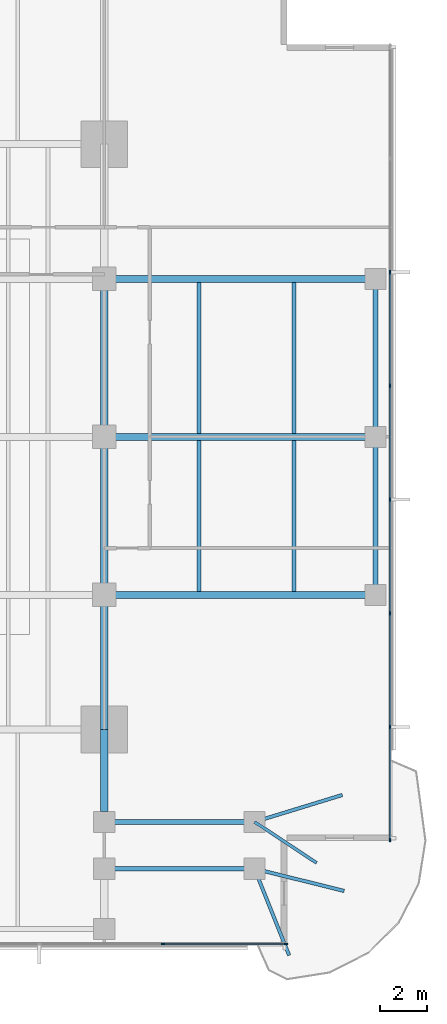
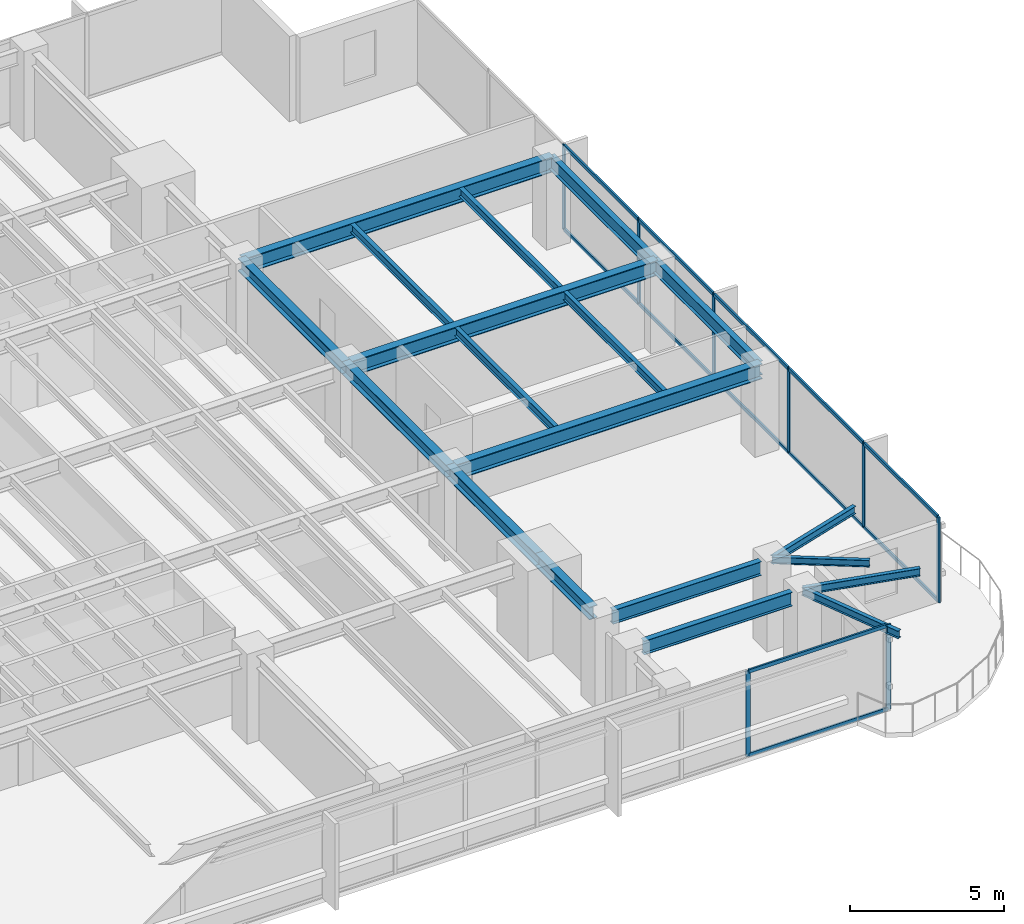
# One storey, part 4 of 14: 20 members, 19 beams, 2 elements without a shape of their own.
"""IFC4 building model written with IfcOpenShell, lengths in metres."""

from ifc_helpers import new_model, si_unit, direction, frame, origin, origin_2d, place, context, subcontext, project, spatial, rectangle, i_section, extrude, material, layer, layer_set, material_profile, profile_set, type_object, element, aggregate, save


model = new_model("IFC4")

# Units and contexts
model_context = context("Model", 3, precision=1e-05, world=origin(), true_north=direction((0.0, 1.0)))
body_context = subcontext(model_context, "Body", "Model", "MODEL_VIEW")
ifc_project = project(units=[si_unit("LENGTHUNIT", "METRE"), si_unit("AREAUNIT", "SQUARE_METRE"), si_unit("VOLUMEUNIT", "CUBIC_METRE"), si_unit("PLANEANGLEUNIT", "RADIAN"), si_unit("MASSUNIT", "GRAM", prefix="KILO")], contexts=[model_context])

# Site, building, storey
site_placement = place(None, origin())
site = spatial("IfcSite", under=ifc_project, at=site_placement, CompositionType="ELEMENT")
building_placement = place(site_placement, origin())
building = spatial("IfcBuilding", under=site, at=building_placement, Name="Kinhvarn Gate Tower", CompositionType="ELEMENT")
storey_placement = place(building_placement, frame((0.0, 0.0, 120.0)))
storey = spatial("IfcBuildingStorey", under=building, at=storey_placement, Name="L31", CompositionType="ELEMENT", Elevation=120.0)

# Curtain wall, members
ifc_material_1 = material(Name="Anodised aluminium AW-6063", Category="aluminium")
ifc_layer = layer(ifc_material_1, 0.179931640625)
ifc_layer_set = layer_set([ifc_layer], Name="Anodised aluminium AW-6063")
curtain_wall_type = type_object("IfcCurtainWallType", Name="CW-SYS-3", PredefinedType="NOTDEFINED", material=ifc_layer_set)
curtain_wall_1_placement = place(storey_placement, origin())
curtain_wall_1 = element("IfcCurtainWall", 1, at=curtain_wall_1_placement, inside=storey, type_object=curtain_wall_type, Name="Curtain Wall CW3 (L31)", PredefinedType="NOTDEFINED")
ifc_material_profile_1 = material_profile(ifc_material_1, rectangle(XDim=0.06494140625, YDim=0.159912109375, at=origin_2d()), Name="ALU 65x160")
ifc_profile_set_1 = profile_set([ifc_material_profile_1], Name="Anodised aluminium AW-6063")
member_type_1 = type_object("IfcMemberType", Name="CW-MUL-160", PredefinedType="MULLION", material=ifc_profile_set_1)
member_1_placement = place(storey_placement, frame((40.71435546875, 3.590087890625, 0.0), z_axis=(0.0, 0.0, 1.0), x_axis=(0.0, 1.0, 0.0)))
member_1 = element("IfcMember", 2, at=member_1_placement, type_object=member_type_1, Name="CW3 mullion 7", PredefinedType="MULLION", context=body_context, shape_type="SweptSolid", body=[
    extrude(rectangle(XDim=0.06494140625, YDim=0.159912109375, at=origin_2d()), origin(), (0.0, 0.0, 1.0), 3.3701171875),
])
member_2_placement = place(storey_placement, frame((45.967529296875, 3.590087890625, 0.0), z_axis=(0.0, 0.0, 1.0), x_axis=(0.0, 1.0, 0.0)))
member_2 = element("IfcMember", 3, at=member_2_placement, type_object=member_type_1, Name="CW3 mullion 8", PredefinedType="MULLION", context=body_context, shape_type="SweptSolid", body=[
    extrude(rectangle(XDim=0.06494140625, YDim=0.159912109375, at=origin_2d()), origin(), (0.0, 0.0, 1.0), 3.3701171875),
])

curtain_wall_2_placement = place(storey_placement, origin())
curtain_wall_2 = element("IfcCurtainWall", 4, at=curtain_wall_2_placement, inside=storey, type_object=curtain_wall_type, Name="Curtain Wall CW3 (L31)", PredefinedType="NOTDEFINED")
member_3_placement = place(storey_placement, frame((50.409912109375, 8.032470703125, 0.0), z_axis=(0.0, 0.0, 1.0), x_axis=(-1.0, 0.0, 0.0)))
member_3 = element("IfcMember", 5, at=member_3_placement, type_object=member_type_1, Name="CW3 mullion 1", PredefinedType="MULLION", context=body_context, shape_type="SweptSolid", body=[
    extrude(rectangle(XDim=0.06494140625, YDim=0.159912109375, at=origin_2d()), origin(), (0.0, 0.0, 1.0), 3.3701171875),
])
member_4_placement = place(storey_placement, frame((50.409912109375, 12.857177734375, 0.0), z_axis=(0.0, 0.0, 1.0), x_axis=(-1.0, 0.0, 0.0)))
member_4 = element("IfcMember", 6, at=member_4_placement, type_object=member_type_1, Name="CW3 mullion 2", PredefinedType="MULLION", context=body_context, shape_type="SweptSolid", body=[
    extrude(rectangle(XDim=0.06494140625, YDim=0.159912109375, at=origin_2d()), origin(), (0.0, 0.0, 1.0), 3.3701171875),
])
member_5_placement = place(storey_placement, frame((50.409912109375, 17.71435546875, 0.0), z_axis=(0.0, 0.0, 1.0), x_axis=(-1.0, 0.0, 0.0)))
member_5 = element("IfcMember", 7, at=member_5_placement, type_object=member_type_1, Name="CW3 mullion 3", PredefinedType="MULLION", context=body_context, shape_type="SweptSolid", body=[
    extrude(rectangle(XDim=0.06494140625, YDim=0.159912109375, at=origin_2d()), origin(), (0.0, 0.0, 1.0), 3.3701171875),
])
member_6_placement = place(storey_placement, frame((50.409912109375, 22.571533203125, 0.0), z_axis=(0.0, 0.0, 1.0), x_axis=(-1.0, 0.0, 0.0)))
member_6 = element("IfcMember", 8, at=member_6_placement, type_object=member_type_1, Name="CW3 mullion 4", PredefinedType="MULLION", context=body_context, shape_type="SweptSolid", body=[
    extrude(rectangle(XDim=0.06494140625, YDim=0.159912109375, at=origin_2d()), origin(), (0.0, 0.0, 1.0), 3.3701171875),
])
member_7_placement = place(storey_placement, frame((50.409912109375, 27.428466796875, 0.0), z_axis=(0.0, 0.0, 1.0), x_axis=(-1.0, 0.0, 0.0)))
member_7 = element("IfcMember", 9, at=member_7_placement, type_object=member_type_1, Name="CW3 mullion 5", PredefinedType="MULLION", context=body_context, shape_type="SweptSolid", body=[
    extrude(rectangle(XDim=0.06494140625, YDim=0.159912109375, at=origin_2d()), origin(), (0.0, 0.0, 1.0), 3.3701171875),
])
member_8_placement = place(storey_placement, frame((50.409912109375, 32.28564453125, 0.0), z_axis=(0.0, 0.0, 1.0), x_axis=(-1.0, 0.0, 0.0)))
member_8 = element("IfcMember", 10, at=member_8_placement, type_object=member_type_1, Name="CW3 mullion 6", PredefinedType="MULLION", context=body_context, shape_type="SweptSolid", body=[
    extrude(rectangle(XDim=0.06494140625, YDim=0.159912109375, at=origin_2d()), origin(), (0.0, 0.0, 1.0), 3.3701171875),
])

# Member
ifc_material_profile_2 = material_profile(ifc_material_1, rectangle(XDim=0.070068359375, YDim=0.139892578125, at=origin_2d()), Name="ALU 70x140")
ifc_profile_set_2 = profile_set([ifc_material_profile_2], Name="Anodised aluminium AW-6063")
member_type_2 = type_object("IfcMemberType", Name="CW-TRN-140", PredefinedType="USERDEFINED", material=ifc_profile_set_2)
member_9_placement = place(storey_placement, frame((40.746826171875, 3.590087890625, 0.034912109375), z_axis=(1.0, 0.0, 0.0), x_axis=(0.0, 1.0, 0.0)))
member_9 = element("IfcMember", 11, at=member_9_placement, type_object=member_type_2, Name="CW3 transom 7.1", ObjectType="TRANSOM", PredefinedType="USERDEFINED", context=body_context, shape_type="SweptSolid", body=[
    extrude(rectangle(XDim=0.070068359375, YDim=0.139892578125, at=origin_2d()), origin(), (0.0, 0.0, 1.0), 5.188232421875),
])

member_10_placement = place(storey_placement, frame((40.746826171875, 3.590087890625, 3.3349609375), z_axis=(1.0, 0.0, 0.0), x_axis=(0.0, 1.0, 0.0)))
member_10 = element("IfcMember", 12, at=member_10_placement, type_object=member_type_2, Name="CW3 transom 7.2", ObjectType="TRANSOM", PredefinedType="USERDEFINED", context=body_context, shape_type="SweptSolid", body=[
    extrude(rectangle(XDim=0.070068359375, YDim=0.139892578125, at=origin_2d()), origin(), (0.0, 0.0, 1.0), 5.188232421875),
])

aggregate(curtain_wall_1, [member_1, member_2, member_9, member_10])

member_11_placement = place(storey_placement, frame((50.409912109375, 8.06494140625, 0.034912109375), z_axis=(0.0, 1.0, 0.0), x_axis=(-1.0, 0.0, 0.0)))
member_11 = element("IfcMember", 13, at=member_11_placement, type_object=member_type_2, Name="CW3 transom 1.1", ObjectType="TRANSOM", PredefinedType="USERDEFINED", context=body_context, shape_type="SweptSolid", body=[
    extrude(rectangle(XDim=0.070068359375, YDim=0.139892578125, at=origin_2d()), origin(), (0.0, 0.0, 1.0), 4.759765625),
])

member_12_placement = place(storey_placement, frame((50.409912109375, 8.06494140625, 3.3349609375), z_axis=(0.0, 1.0, 0.0), x_axis=(-1.0, 0.0, 0.0)))
member_12 = element("IfcMember", 14, at=member_12_placement, type_object=member_type_2, Name="CW3 transom 1.2", ObjectType="TRANSOM", PredefinedType="USERDEFINED", context=body_context, shape_type="SweptSolid", body=[
    extrude(rectangle(XDim=0.070068359375, YDim=0.139892578125, at=origin_2d()), origin(), (0.0, 0.0, 1.0), 4.759765625),
])

member_13_placement = place(storey_placement, frame((50.409912109375, 12.8896484375, 0.034912109375), z_axis=(0.0, 1.0, 0.0), x_axis=(-1.0, 0.0, 0.0)))
member_13 = element("IfcMember", 15, at=member_13_placement, type_object=member_type_2, Name="CW3 transom 2.1", ObjectType="TRANSOM", PredefinedType="USERDEFINED", context=body_context, shape_type="SweptSolid", body=[
    extrude(rectangle(XDim=0.070068359375, YDim=0.139892578125, at=origin_2d()), origin(), (0.0, 0.0, 1.0), 4.792236328125),
])

member_14_placement = place(storey_placement, frame((50.409912109375, 12.8896484375, 3.3349609375), z_axis=(0.0, 1.0, 0.0), x_axis=(-1.0, 0.0, 0.0)))
member_14 = element("IfcMember", 16, at=member_14_placement, type_object=member_type_2, Name="CW3 transom 2.2", ObjectType="TRANSOM", PredefinedType="USERDEFINED", context=body_context, shape_type="SweptSolid", body=[
    extrude(rectangle(XDim=0.070068359375, YDim=0.139892578125, at=origin_2d()), origin(), (0.0, 0.0, 1.0), 4.792236328125),
])

member_15_placement = place(storey_placement, frame((50.409912109375, 17.746826171875, 0.034912109375), z_axis=(0.0, 1.0, 0.0), x_axis=(-1.0, 0.0, 0.0)))
member_15 = element("IfcMember", 17, at=member_15_placement, type_object=member_type_2, Name="CW3 transom 3.1", ObjectType="TRANSOM", PredefinedType="USERDEFINED", context=body_context, shape_type="SweptSolid", body=[
    extrude(rectangle(XDim=0.070068359375, YDim=0.139892578125, at=origin_2d()), origin(), (0.0, 0.0, 1.0), 4.7919921875),
])

member_16_placement = place(storey_placement, frame((50.409912109375, 17.746826171875, 3.3349609375), z_axis=(0.0, 1.0, 0.0), x_axis=(-1.0, 0.0, 0.0)))
member_16 = element("IfcMember", 18, at=member_16_placement, type_object=member_type_2, Name="CW3 transom 3.2", ObjectType="TRANSOM", PredefinedType="USERDEFINED", context=body_context, shape_type="SweptSolid", body=[
    extrude(rectangle(XDim=0.070068359375, YDim=0.139892578125, at=origin_2d()), origin(), (0.0, 0.0, 1.0), 4.7919921875),
])

member_17_placement = place(storey_placement, frame((50.409912109375, 22.60400390625, 0.034912109375), z_axis=(0.0, 1.0, 0.0), x_axis=(-1.0, 0.0, 0.0)))
member_17 = element("IfcMember", 19, at=member_17_placement, type_object=member_type_2, Name="CW3 transom 4.1", ObjectType="TRANSOM", PredefinedType="USERDEFINED", context=body_context, shape_type="SweptSolid", body=[
    extrude(rectangle(XDim=0.070068359375, YDim=0.139892578125, at=origin_2d()), origin(), (0.0, 0.0, 1.0), 4.7919921875),
])

member_18_placement = place(storey_placement, frame((50.409912109375, 22.60400390625, 3.3349609375), z_axis=(0.0, 1.0, 0.0), x_axis=(-1.0, 0.0, 0.0)))
member_18 = element("IfcMember", 20, at=member_18_placement, type_object=member_type_2, Name="CW3 transom 4.2", ObjectType="TRANSOM", PredefinedType="USERDEFINED", context=body_context, shape_type="SweptSolid", body=[
    extrude(rectangle(XDim=0.070068359375, YDim=0.139892578125, at=origin_2d()), origin(), (0.0, 0.0, 1.0), 4.7919921875),
])

member_19_placement = place(storey_placement, frame((50.409912109375, 27.461181640625, 0.034912109375), z_axis=(0.0, 1.0, 0.0), x_axis=(-1.0, 0.0, 0.0)))
member_19 = element("IfcMember", 21, at=member_19_placement, type_object=member_type_2, Name="CW3 transom 5.1", ObjectType="TRANSOM", PredefinedType="USERDEFINED", context=body_context, shape_type="SweptSolid", body=[
    extrude(rectangle(XDim=0.070068359375, YDim=0.139892578125, at=origin_2d()), origin(), (0.0, 0.0, 1.0), 4.7919921875),
])

member_20_placement = place(storey_placement, frame((50.409912109375, 27.461181640625, 3.3349609375), z_axis=(0.0, 1.0, 0.0), x_axis=(-1.0, 0.0, 0.0)))
member_20 = element("IfcMember", 22, at=member_20_placement, type_object=member_type_2, Name="CW3 transom 5.2", ObjectType="TRANSOM", PredefinedType="USERDEFINED", context=body_context, shape_type="SweptSolid", body=[
    extrude(rectangle(XDim=0.070068359375, YDim=0.139892578125, at=origin_2d()), origin(), (0.0, 0.0, 1.0), 4.7919921875),
])

aggregate(curtain_wall_2, [member_3, member_4, member_5, member_6, member_7, member_8, member_11, member_12, member_13, member_14, member_15, member_16, member_17, member_18, member_19, member_20])

# Beams
ifc_material_2 = material(Name="Steel S355", Category="steel")
ifc_material_profile_3 = material_profile(ifc_material_2, i_section(OverallWidth=0.300048828125, OverallDepth=0.5, WebThickness=0.014404296875, FlangeThickness=0.028076171875, at=origin_2d()), Name="HEB 500")
ifc_profile_set_3 = profile_set([ifc_material_profile_3], Name="Steel S355")
beam_type_1 = type_object("IfcBeamType", Name="STL-HEB500", PredefinedType="BEAM", material=ifc_profile_set_3)
beam_1_placement = place(storey_placement, frame((38.199951171875, 9.235107421875, 3.1201171875), z_axis=(0.0, 1.0, 0.0), x_axis=(-1.0, 0.0, 0.0)))
element("IfcBeam", 23, at=beam_1_placement, inside=storey, type_object=beam_type_1, Name="Floor Beam PG-14 (L31 MCE-S-A2)", PredefinedType="BEAM", context=body_context, shape_type="SweptSolid", body=[
    extrude(i_section(OverallWidth=0.300048828125, OverallDepth=0.5, WebThickness=0.014404296875, FlangeThickness=0.028076171875, at=origin_2d()), origin(), (0.0, 0.0, 1.0), 3.514892578125),
])
beam_2_placement = place(storey_placement, frame((38.199951171875, 12.75, 3.1201171875), z_axis=(0.0, 1.0, 0.0), x_axis=(-1.0, 0.0, 0.0)))
element("IfcBeam", 24, at=beam_2_placement, inside=storey, type_object=beam_type_1, Name="Floor Beam PG-14 (L31 MG-E-12)", PredefinedType="BEAM", context=body_context, shape_type="SweptSolid", body=[
    extrude(i_section(OverallWidth=0.300048828125, OverallDepth=0.5, WebThickness=0.014404296875, FlangeThickness=0.028076171875, at=origin_2d()), origin(), (0.0, 0.0, 1.0), 5.75),
])
for number, where, z_axis, x_axis, name in (
    (25, (38.199951171875, 18.5, 3.1201171875), (0.0, 1.0, 0.0), (-1.0, 0.0, 0.0), "Floor Beam PG-14 (L31 MG-E-18)"),
    (26, (38.199951171875, 25.25, 3.1201171875), (0.0, 1.0, 0.0), (-1.0, 0.0, 0.0), "Floor Beam PG-14 (L31 MG-E-25)"),
):
    element("IfcBeam", number, at=place(storey_placement, frame(where, z_axis=z_axis, x_axis=x_axis)), inside=storey, type_object=beam_type_1, Name=name, PredefinedType="BEAM", context=body_context, shape_type="SweptSolid", body=[
        extrude(i_section(OverallWidth=0.300048828125, OverallDepth=0.5, WebThickness=0.014404296875, FlangeThickness=0.028076171875, at=origin_2d()), origin(), (0.0, 0.0, 1.0), 6.75),
    ])
ifc_material_profile_4 = material_profile(ifc_material_2, i_section(OverallWidth=0.300048828125, OverallDepth=0.60009765625, WebThickness=0.015380859375, FlangeThickness=0.030029296875, at=origin_2d()), Name="HEB 600")
ifc_profile_set_4 = profile_set([ifc_material_profile_4], Name="Steel S355")
beam_type_2 = type_object("IfcBeamType", Name="STL-HEB600", PredefinedType="BEAM", material=ifc_profile_set_4)
for number, where, z_axis, x_axis, name in (
    (27, (38.199951171875, 18.5, 3.070068359375), (1.0, 0.0, 0.0), (0.0, 1.0, 0.0), "Floor Beam PG-16 (L31 EW2-Y18)"),
    (28, (38.199951171875, 25.25, 3.070068359375), (1.0, 0.0, 0.0), (0.0, 1.0, 0.0), "Floor Beam PG-16 (L31 EW2-Y25)"),
    (29, (38.199951171875, 32.0, 3.070068359375), (1.0, 0.0, 0.0), (0.0, 1.0, 0.0), "Floor Beam PG-16 (L31 EW2-Y32)"),
):
    element("IfcBeam", number, at=place(storey_placement, frame(where, z_axis=z_axis, x_axis=x_axis)), inside=storey, type_object=beam_type_2, Name=name, PredefinedType="BEAM", context=body_context, shape_type="SweptSolid", body=[
        extrude(i_section(OverallWidth=0.300048828125, OverallDepth=0.60009765625, WebThickness=0.015380859375, FlangeThickness=0.030029296875, at=origin_2d()), origin(), (0.0, 0.0, 1.0), 11.580078125),
    ])
ifc_material_profile_5 = material_profile(ifc_material_2, i_section(OverallWidth=0.135009765625, OverallDepth=0.27001953125, WebThickness=0.006591796875, FlangeThickness=0.01025390625, at=origin_2d()), Name="IPE 270")
ifc_profile_set_5 = profile_set([ifc_material_profile_5], Name="Steel S355")
beam_type_3 = type_object("IfcBeamType", Name="STL-IPE270", PredefinedType="JOIST", material=ifc_profile_set_5)
beam_3_placement = place(storey_placement, frame((44.6201171875, 8.800048828125, 3.235107421875), z_axis=(0.834455271211, -0.5510756757, 0.0), x_axis=(0.5510756757, 0.834455271211, 0.0)))
element("IfcBeam", 30, at=beam_3_placement, inside=storey, type_object=beam_type_3, Name="Floor Joist SB-01 (L31 BAL-B3-L32)", PredefinedType="JOIST", context=body_context, shape_type="SweptSolid", body=[
    extrude(i_section(OverallWidth=0.135009765625, OverallDepth=0.27001953125, WebThickness=0.006591796875, FlangeThickness=0.01025390625, at=origin_2d()), origin(), (0.0, 0.0, 1.0), 3.175537109375),
])
ifc_material_profile_6 = material_profile(ifc_material_2, i_section(OverallWidth=0.14990234375, OverallDepth=0.300048828125, WebThickness=0.007080078125, FlangeThickness=0.0107421875, at=origin_2d()), Name="IPE 300")
ifc_profile_set_6 = profile_set([ifc_material_profile_6], Name="Steel S355")
beam_type_4 = type_object("IfcBeamType", Name="STL-IPE300", PredefinedType="JOIST", material=ifc_profile_set_6)
beam_4_placement = place(storey_placement, frame((44.6201171875, 6.800048828125, 3.219970703125), z_axis=(0.97058851083, -0.240744558911, 0.0), x_axis=(0.240744558911, 0.97058851083, 0.0)))
element("IfcBeam", 31, at=beam_4_placement, inside=storey, type_object=beam_type_4, Name="Floor Joist SB-02 (L31 BAL-B1-L32)", PredefinedType="JOIST", context=body_context, shape_type="SweptSolid", body=[
    extrude(i_section(OverallWidth=0.14990234375, OverallDepth=0.300048828125, WebThickness=0.007080078125, FlangeThickness=0.0107421875, at=origin_2d()), origin(), (0.0, 0.0, 1.0), 3.94580078125),
])
beam_5_placement = place(storey_placement, frame((44.6201171875, 6.800048828125, 3.219970703125), z_axis=(0.371390676354, -0.928476690885, 0.0), x_axis=(0.928476690885, 0.371390676354, 0.0)))
element("IfcBeam", 32, at=beam_5_placement, inside=storey, type_object=beam_type_4, Name="Floor Joist SB-02 (L31 BAL-B2-L32)", PredefinedType="JOIST", context=body_context, shape_type="SweptSolid", body=[
    extrude(i_section(OverallWidth=0.14990234375, OverallDepth=0.300048828125, WebThickness=0.007080078125, FlangeThickness=0.0107421875, at=origin_2d()), origin(), (0.0, 0.0, 1.0), 3.98486328125),
])
beam_6_placement = place(storey_placement, frame((44.6201171875, 8.800048828125, 3.219970703125), z_axis=(0.95606118681, 0.293167199862, 0.0), x_axis=(-0.293167199862, 0.95606118681, 0.0)))
element("IfcBeam", 33, at=beam_6_placement, inside=storey, type_object=beam_type_4, Name="Floor Joist SB-02 (L31 BAL-B5-L32)", PredefinedType="JOIST", context=body_context, shape_type="SweptSolid", body=[
    extrude(i_section(OverallWidth=0.14990234375, OverallDepth=0.300048828125, WebThickness=0.007080078125, FlangeThickness=0.0107421875, at=origin_2d()), origin(), (0.0, 0.0, 1.0), 3.92236328125),
])
ifc_material_profile_7 = material_profile(ifc_material_2, i_section(OverallWidth=0.159912109375, OverallDepth=0.330078125, WebThickness=0.007568359375, FlangeThickness=0.011474609375, at=origin_2d()), Name="IPE 330")
ifc_profile_set_7 = profile_set([ifc_material_profile_7], Name="Steel S355")
beam_type_5 = type_object("IfcBeamType", Name="STL-IPE330", PredefinedType="JOIST", material=ifc_profile_set_7)
for number, where, z_axis, x_axis, name in (
    (34, (42.25, 18.64990234375, 3.205078125), (0.0, 1.0, 0.0), (-1.0, 0.0, 0.0), "Floor Joist SB-03 (L31 JC-X422-1)"),
    (35, (42.25, 25.39990234375, 3.205078125), (0.0, 1.0, 0.0), (-1.0, 0.0, 0.0), "Floor Joist SB-03 (L31 JC-X422-2)"),
    (36, (46.31005859375, 18.64990234375, 3.205078125), (0.0, 1.0, 0.0), (-1.0, 0.0, 0.0), "Floor Joist SB-03 (L31 JC-X463-1)"),
    (37, (46.31005859375, 25.39990234375, 3.205078125), (0.0, 1.0, 0.0), (-1.0, 0.0, 0.0), "Floor Joist SB-03 (L31 JC-X463-2)"),
):
    element("IfcBeam", number, at=place(storey_placement, frame(where, z_axis=z_axis, x_axis=x_axis)), inside=storey, type_object=beam_type_5, Name=name, PredefinedType="JOIST", context=body_context, shape_type="SweptSolid", body=[
        extrude(i_section(OverallWidth=0.159912109375, OverallDepth=0.330078125, WebThickness=0.007568359375, FlangeThickness=0.011474609375, at=origin_2d()), origin(), (0.0, 0.0, 1.0), 6.4501953125),
    ])
ifc_material_profile_8 = material_profile(ifc_material_2, i_section(OverallWidth=0.2099609375, OverallDepth=0.550048828125, WebThickness=0.010986328125, FlangeThickness=0.01708984375, at=origin_2d()), Name="IPE 550")
ifc_profile_set_8 = profile_set([ifc_material_profile_8], Name="Steel S355")
beam_type_6 = type_object("IfcBeamType", Name="STL-IPE550", PredefinedType="SPANDREL", material=ifc_profile_set_8)
for number, where, z_axis, x_axis, name in (
    (38, (38.635009765625, 8.800048828125, 3.094970703125), (1.0, 0.0, 0.0), (0.0, 1.0, 0.0), "Floor Spandrel SB-08 (L31 SP-SE2)"),
    (39, (38.635009765625, 6.800048828125, 3.094970703125), (1.0, 0.0, 0.0), (0.0, 1.0, 0.0), "Floor Spandrel SB-08 (L31 SP-SE2-S)"),
):
    element("IfcBeam", number, at=place(storey_placement, frame(where, z_axis=z_axis, x_axis=x_axis)), inside=storey, type_object=beam_type_6, Name=name, PredefinedType="SPANDREL", context=body_context, shape_type="SweptSolid", body=[
        extrude(i_section(OverallWidth=0.2099609375, OverallDepth=0.550048828125, WebThickness=0.010986328125, FlangeThickness=0.01708984375, at=origin_2d()), origin(), (0.0, 0.0, 1.0), 5.550048828125),
    ])
for number, where, z_axis, x_axis, name in (
    (40, (49.780029296875, 18.5, 3.094970703125), (0.0, 1.0, 0.0), (-1.0, 0.0, 0.0), "Floor Spandrel SB-08 (L31 SP-E2)"),
    (41, (49.780029296875, 25.25, 3.094970703125), (0.0, 1.0, 0.0), (-1.0, 0.0, 0.0), "Floor Spandrel SB-08 (L31 SP-E3)"),
):
    element("IfcBeam", number, at=place(storey_placement, frame(where, z_axis=z_axis, x_axis=x_axis)), inside=storey, type_object=beam_type_6, Name=name, PredefinedType="SPANDREL", context=body_context, shape_type="SweptSolid", body=[
        extrude(i_section(OverallWidth=0.2099609375, OverallDepth=0.550048828125, WebThickness=0.010986328125, FlangeThickness=0.01708984375, at=origin_2d()), origin(), (0.0, 0.0, 1.0), 6.75),
    ])

save(model, "model.ifc")
